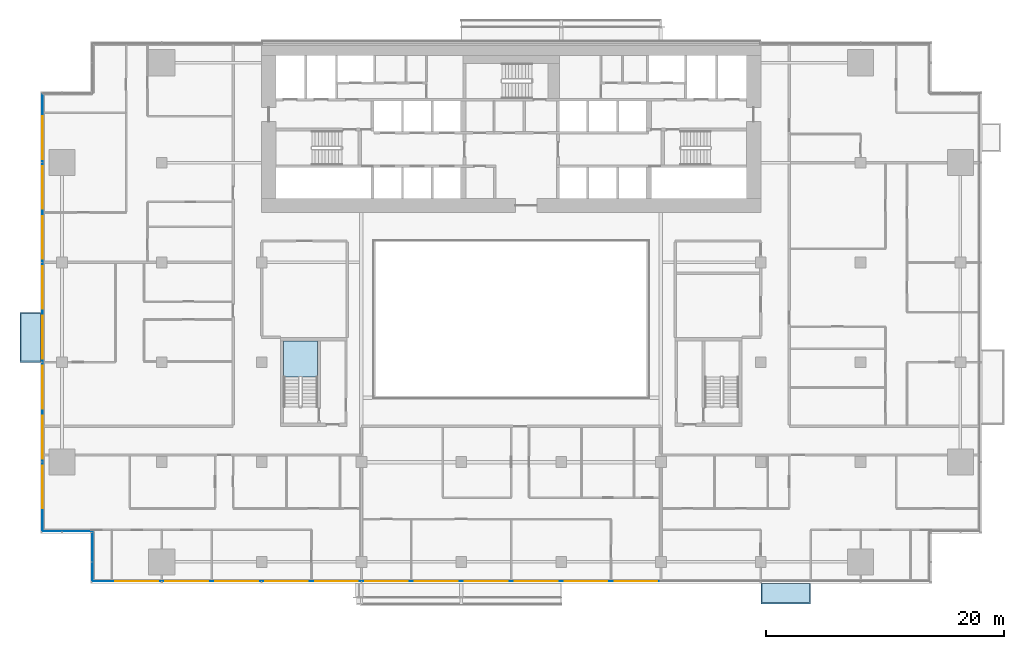
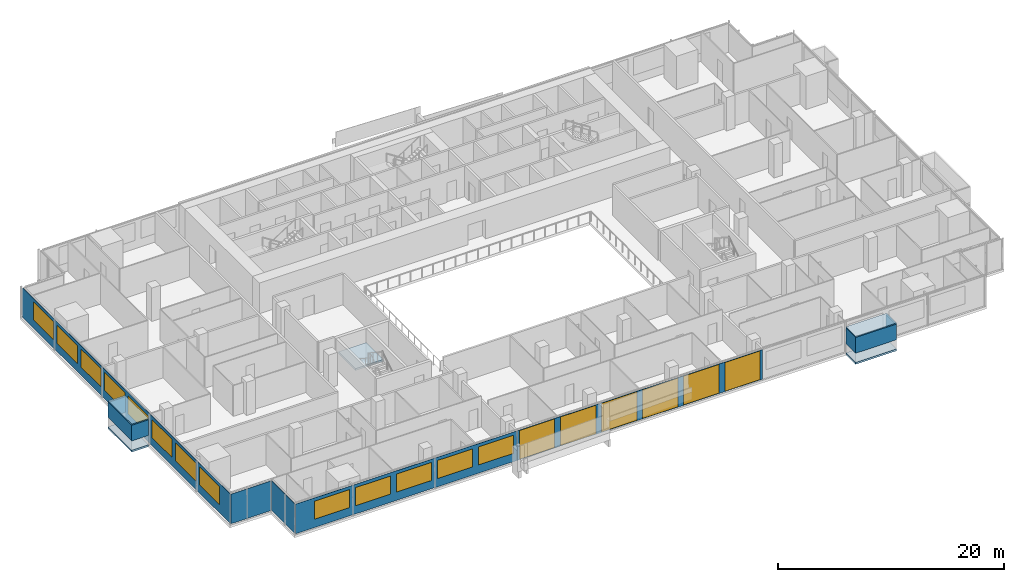
# One storey, part 14 of 26: 19 windows, 9 plates, 3 slabs, 19 openings, 5 elements without a shape of their own.
"""IFC4 building model written with IfcOpenShell, lengths in metres."""

from ifc_helpers import new_model, si_unit, direction, frame, frame_2d, origin, place, context, subcontext, project, spatial, polyline, rectangle, outline, extrude, material, layer, layer_set, type_object, element, fill, aggregate, save


model = new_model("IFC4")

# Units and contexts
model_context = context("Model", 3, precision=1e-05, world=origin(), true_north=direction((0.0, 1.0)))
body_context = subcontext(model_context, "Body", "Model", "MODEL_VIEW")
ifc_project = project(units=[si_unit("LENGTHUNIT", "METRE"), si_unit("AREAUNIT", "SQUARE_METRE"), si_unit("VOLUMEUNIT", "CUBIC_METRE"), si_unit("PLANEANGLEUNIT", "RADIAN"), si_unit("MASSUNIT", "GRAM", prefix="KILO")], contexts=[model_context])

# Site, building, storey
site_placement = place(None, origin())
site = spatial("IfcSite", under=ifc_project, at=site_placement, CompositionType="ELEMENT")
building_placement = place(site_placement, origin())
building = spatial("IfcBuilding", under=site, at=building_placement, Name="Saffron Gate Tower", CompositionType="ELEMENT")
storey_placement = place(building_placement, frame((0.0, 0.0, 62.39990234375)))
storey = spatial("IfcBuildingStorey", under=building, at=storey_placement, Name="L14", CompositionType="ELEMENT", Elevation=62.39990234375)

# Curtain wall, plates, openings, windows
ifc_material_1 = material(Name="Aluminium, bronze anodised", Category="aluminium")
curtain_wall_type_1 = type_object("IfcCurtainWallType", Name="CWS1 curtain wall front facade", PredefinedType="NOTDEFINED", material=ifc_material_1)
curtain_wall_1_placement = place(storey_placement, origin())
curtain_wall_1 = element("IfcCurtainWall", 1, at=curtain_wall_1_placement, inside=storey, type_object=curtain_wall_type_1, Name="CWS1 run 1", PredefinedType="NOTDEFINED")
ifc_material_2 = material(Name="Clear low-iron laminated glass", Category="glass")
ifc_layer_1 = layer(ifc_material_2, 0.028076171875)
ifc_layer_set_1 = layer_set([ifc_layer_1], Name="CWS1 clear glass")
plate_type_1 = type_object("IfcPlateType", Name="CWS1 clear glass", PredefinedType="CURTAIN_PANEL", material=ifc_layer_set_1)
plate_1_placement = place(storey_placement, frame((75.030029296875, 30.174072265625, 0.0), z_axis=(0.0, 0.0, 1.0), x_axis=(1.0, 0.0, 0.0)))
plate_1 = element("IfcPlate", 2, at=plate_1_placement, type_object=plate_type_1, Name="CWS1 clear glass panel", PredefinedType="CURTAIN_PANEL", context=body_context, shape_type="SweptSolid", body=[
    extrude(rectangle(XDim=25.139892578125, YDim=0.028076171875, at=frame_2d((12.56982421875, 0.0))), origin(), (0.0, 0.0, 1.0), 3.2001953125),
])
opening_1_placement = place(plate_1_placement, frame((0.27001953125, 0.0, 0.050048828125)))
opening_1 = element("IfcOpeningElement", 3, at=opening_1_placement, cuts=plate_1, Name="Opening WA", PredefinedType="OPENING", context=body_context, shape_type="SweptSolid", body=[
    extrude(rectangle(XDim=3.60009765625, YDim=3.10009765625, at=frame_2d((1.800048828125, 1.550048828125))), frame((0.0, 0.02392578125, 0.0), z_axis=(0.0, -1.0, 0.0), x_axis=(1.0, 0.0, 0.0)), (0.0, 0.0, 1.0), 0.048095703125),
])
opening_2_placement = place(plate_1_placement, frame((4.469970703125, 0.0, 0.050048828125)))
opening_2 = element("IfcOpeningElement", 4, at=opening_2_placement, cuts=plate_1, Name="Opening WA", PredefinedType="OPENING", context=body_context, shape_type="SweptSolid", body=[
    extrude(rectangle(XDim=3.60009765625, YDim=3.10009765625, at=frame_2d((1.800048828125, 1.550048828125))), frame((0.0, 0.02392578125, 0.0), z_axis=(0.0, -1.0, 0.0), x_axis=(1.0, 0.0, 0.0)), (0.0, 0.0, 1.0), 0.048095703125),
])
opening_3_placement = place(plate_1_placement, frame((8.669921875, 0.0, 0.050048828125)))
opening_3 = element("IfcOpeningElement", 5, at=opening_3_placement, cuts=plate_1, Name="Opening WA", PredefinedType="OPENING", context=body_context, shape_type="SweptSolid", body=[
    extrude(rectangle(XDim=3.60009765625, YDim=3.10009765625, at=frame_2d((1.800048828125, 1.550048828125))), frame((0.0, 0.02392578125, 0.0), z_axis=(0.0, -1.0, 0.0), x_axis=(1.0, 0.0, 0.0)), (0.0, 0.0, 1.0), 0.048095703125),
])
opening_4_placement = place(plate_1_placement, frame((12.8701171875, 0.0, 0.050048828125)))
opening_4 = element("IfcOpeningElement", 6, at=opening_4_placement, cuts=plate_1, Name="Opening WA", PredefinedType="OPENING", context=body_context, shape_type="SweptSolid", body=[
    extrude(rectangle(XDim=3.60009765625, YDim=3.10009765625, at=frame_2d((1.800048828125, 1.550048828125))), frame((0.0, 0.02392578125, 0.0), z_axis=(0.0, -1.0, 0.0), x_axis=(1.0, 0.0, 0.0)), (0.0, 0.0, 1.0), 0.048095703125),
])
opening_5_placement = place(plate_1_placement, frame((17.070068359375, 0.0, 0.050048828125)))
opening_5 = element("IfcOpeningElement", 7, at=opening_5_placement, cuts=plate_1, Name="Opening WA", PredefinedType="OPENING", context=body_context, shape_type="SweptSolid", body=[
    extrude(rectangle(XDim=3.60009765625, YDim=3.10009765625, at=frame_2d((1.800048828125, 1.550048828125))), frame((0.0, 0.02392578125, 0.0), z_axis=(0.0, -1.0, 0.0), x_axis=(1.0, 0.0, 0.0)), (0.0, 0.0, 1.0), 0.048095703125),
])
opening_6_placement = place(plate_1_placement, frame((21.27001953125, 0.0, 0.050048828125)))
opening_6 = element("IfcOpeningElement", 8, at=opening_6_placement, cuts=plate_1, Name="Opening WA", PredefinedType="OPENING", context=body_context, shape_type="SweptSolid", body=[
    extrude(rectangle(XDim=3.60009765625, YDim=3.10009765625, at=frame_2d((1.800048828125, 1.550048828125))), frame((0.0, 0.02392578125, 0.0), z_axis=(0.0, -1.0, 0.0), x_axis=(1.0, 0.0, 0.0)), (0.0, 0.0, 1.0), 0.048095703125),
])
ifc_material_3 = material(Name="Clear low-iron laminated glass in bronze frame", Category="glass")
ifc_layer_2 = layer(ifc_material_3, 0.06005859375)
ifc_layer_set_2 = layer_set([ifc_layer_2], Name="WA operable atrium unit 3600x3100")
window_type_1 = type_object("IfcWindowType", Name="WA operable atrium unit 3600x3100", PartitioningType="DOUBLE_PANEL_HORIZONTAL", PredefinedType="WINDOW", material=ifc_layer_set_2)
window_1_placement = place(opening_1_placement, origin())
window_1 = element("IfcWindow", 9, at=window_1_placement, type_object=window_type_1, Name="WA operable atrium unit", OverallHeight=3.10009765625, OverallWidth=3.60009765625, PartitioningType="SINGLE_PANEL", PredefinedType="WINDOW", context=body_context, shape_type="SweptSolid", body=[
    extrude(rectangle(XDim=3.60009765625, YDim=3.10009765625, at=frame_2d((1.800048828125, 1.550048828125))), frame((0.0, 0.013671875, 0.0), z_axis=(0.0, -1.0, 0.0), x_axis=(1.0, 0.0, 0.0)), (0.0, 0.0, 1.0), 0.027587890625),
])
fill(opening_1, window_1)
window_2_placement = place(opening_2_placement, origin())
window_2 = element("IfcWindow", 10, at=window_2_placement, type_object=window_type_1, Name="WA operable atrium unit", OverallHeight=3.10009765625, OverallWidth=3.60009765625, PartitioningType="SINGLE_PANEL", PredefinedType="WINDOW", context=body_context, shape_type="SweptSolid", body=[
    extrude(rectangle(XDim=3.60009765625, YDim=3.10009765625, at=frame_2d((1.800048828125, 1.550048828125))), frame((0.0, 0.013671875, 0.0), z_axis=(0.0, -1.0, 0.0), x_axis=(1.0, 0.0, 0.0)), (0.0, 0.0, 1.0), 0.027587890625),
])
fill(opening_2, window_2)
window_3_placement = place(opening_3_placement, origin())
window_3 = element("IfcWindow", 11, at=window_3_placement, type_object=window_type_1, Name="WA operable atrium unit", OverallHeight=3.10009765625, OverallWidth=3.60009765625, PartitioningType="SINGLE_PANEL", PredefinedType="WINDOW", context=body_context, shape_type="SweptSolid", body=[
    extrude(rectangle(XDim=3.60009765625, YDim=3.10009765625, at=frame_2d((1.800048828125, 1.550048828125))), frame((0.0, 0.013671875, 0.0), z_axis=(0.0, -1.0, 0.0), x_axis=(1.0, 0.0, 0.0)), (0.0, 0.0, 1.0), 0.027587890625),
])
fill(opening_3, window_3)
window_4_placement = place(opening_4_placement, origin())
window_4 = element("IfcWindow", 12, at=window_4_placement, type_object=window_type_1, Name="WA operable atrium unit", OverallHeight=3.10009765625, OverallWidth=3.60009765625, PartitioningType="SINGLE_PANEL", PredefinedType="WINDOW", context=body_context, shape_type="SweptSolid", body=[
    extrude(rectangle(XDim=3.60009765625, YDim=3.10009765625, at=frame_2d((1.800048828125, 1.550048828125))), frame((0.0, 0.013671875, 0.0), z_axis=(0.0, -1.0, 0.0), x_axis=(1.0, 0.0, 0.0)), (0.0, 0.0, 1.0), 0.027587890625),
])
fill(opening_4, window_4)
window_5_placement = place(opening_5_placement, origin())
window_5 = element("IfcWindow", 13, at=window_5_placement, type_object=window_type_1, Name="WA operable atrium unit", OverallHeight=3.10009765625, OverallWidth=3.60009765625, PartitioningType="SINGLE_PANEL", PredefinedType="WINDOW", context=body_context, shape_type="SweptSolid", body=[
    extrude(rectangle(XDim=3.60009765625, YDim=3.10009765625, at=frame_2d((1.800048828125, 1.550048828125))), frame((0.0, 0.013671875, 0.0), z_axis=(0.0, -1.0, 0.0), x_axis=(1.0, 0.0, 0.0)), (0.0, 0.0, 1.0), 0.027587890625),
])
fill(opening_5, window_5)
window_6_placement = place(opening_6_placement, origin())
window_6 = element("IfcWindow", 14, at=window_6_placement, type_object=window_type_1, Name="WA operable atrium unit", OverallHeight=3.10009765625, OverallWidth=3.60009765625, PartitioningType="SINGLE_PANEL", PredefinedType="WINDOW", context=body_context, shape_type="SweptSolid", body=[
    extrude(rectangle(XDim=3.60009765625, YDim=3.10009765625, at=frame_2d((1.800048828125, 1.550048828125))), frame((0.0, 0.013671875, 0.0), z_axis=(0.0, -1.0, 0.0), x_axis=(1.0, 0.0, 0.0)), (0.0, 0.0, 1.0), 0.027587890625),
])
fill(opening_6, window_6)
ifc_material_4 = material(Name="Fritted bronze-tinted laminated glass", Category="glass")
ifc_layer_3 = layer(ifc_material_4, 0.028076171875)
ifc_layer_set_3 = layer_set([ifc_layer_3], Name="CWS1 fixed glass")
plate_type_2 = type_object("IfcPlateType", Name="CWS1 fixed glass", PredefinedType="CURTAIN_PANEL", material=ifc_layer_set_3)
plate_2_placement = place(storey_placement, frame((52.387939453125, 30.174072265625, 0.0), z_axis=(0.0, 0.0, 1.0), x_axis=(1.0, 0.0, 0.0)))
plate_2 = element("IfcPlate", 15, at=plate_2_placement, type_object=plate_type_2, Name="CWS1 glass panel", PredefinedType="CURTAIN_PANEL", context=body_context, shape_type="SweptSolid", body=[
    extrude(rectangle(XDim=22.64208984375, YDim=0.028076171875, at=frame_2d((11.321044921875, 0.0))), origin(), (0.0, 0.0, 1.0), 3.2001953125),
])
opening_7_placement = place(plate_2_placement, frame((1.912109375, 0.0, 0.89990234375)))
opening_7 = element("IfcOpeningElement", 16, at=opening_7_placement, cuts=plate_2, Name="Opening W1", PredefinedType="OPENING", context=body_context, shape_type="SweptSolid", body=[
    extrude(rectangle(XDim=3.60009765625, YDim=1.949951171875, at=frame_2d((1.800048828125, 0.97509765625))), frame((0.0, 0.02392578125, 0.0), z_axis=(0.0, -1.0, 0.0), x_axis=(1.0, 0.0, 0.0)), (0.0, 0.0, 1.0), 0.048095703125),
])
opening_8_placement = place(plate_2_placement, frame((6.112060546875, 0.0, 0.89990234375)))
opening_8 = element("IfcOpeningElement", 17, at=opening_8_placement, cuts=plate_2, Name="Opening W1", PredefinedType="OPENING", context=body_context, shape_type="SweptSolid", body=[
    extrude(rectangle(XDim=3.60009765625, YDim=1.949951171875, at=frame_2d((1.800048828125, 0.97509765625))), frame((0.0, 0.02392578125, 0.0), z_axis=(0.0, -1.0, 0.0), x_axis=(1.0, 0.0, 0.0)), (0.0, 0.0, 1.0), 0.048095703125),
])
opening_9_placement = place(plate_2_placement, frame((10.31201171875, 0.0, 0.89990234375)))
opening_9 = element("IfcOpeningElement", 18, at=opening_9_placement, cuts=plate_2, Name="Opening W1", PredefinedType="OPENING", context=body_context, shape_type="SweptSolid", body=[
    extrude(rectangle(XDim=3.60009765625, YDim=1.949951171875, at=frame_2d((1.800048828125, 0.97509765625))), frame((0.0, 0.02392578125, 0.0), z_axis=(0.0, -1.0, 0.0), x_axis=(1.0, 0.0, 0.0)), (0.0, 0.0, 1.0), 0.048095703125),
])
opening_10_placement = place(plate_2_placement, frame((14.511962890625, 0.0, 0.89990234375)))
opening_10 = element("IfcOpeningElement", 19, at=opening_10_placement, cuts=plate_2, Name="Opening W1", PredefinedType="OPENING", context=body_context, shape_type="SweptSolid", body=[
    extrude(rectangle(XDim=3.60009765625, YDim=1.949951171875, at=frame_2d((1.800048828125, 0.97509765625))), frame((0.0, 0.02392578125, 0.0), z_axis=(0.0, -1.0, 0.0), x_axis=(1.0, 0.0, 0.0)), (0.0, 0.0, 1.0), 0.048095703125),
])
opening_11_placement = place(plate_2_placement, frame((18.7119140625, 0.0, 0.89990234375)))
opening_11 = element("IfcOpeningElement", 20, at=opening_11_placement, cuts=plate_2, Name="Opening W1", PredefinedType="OPENING", context=body_context, shape_type="SweptSolid", body=[
    extrude(rectangle(XDim=3.60009765625, YDim=1.949951171875, at=frame_2d((1.800048828125, 0.97509765625))), frame((0.0, 0.02392578125, 0.0), z_axis=(0.0, -1.0, 0.0), x_axis=(1.0, 0.0, 0.0)), (0.0, 0.0, 1.0), 0.048095703125),
])
ifc_material_5 = material(Name="Fritted bronze-tinted laminated glass in bronze frame", Category="glass")
ifc_layer_4 = layer(ifc_material_5, 0.06005859375)
ifc_layer_set_4 = layer_set([ifc_layer_4], Name="W1 operable panel 3600x1950")
window_type_2 = type_object("IfcWindowType", Name="W1 operable panel 3600x1950", PartitioningType="DOUBLE_PANEL_HORIZONTAL", PredefinedType="WINDOW", material=ifc_layer_set_4)
window_7_placement = place(opening_7_placement, origin())
window_7 = element("IfcWindow", 21, at=window_7_placement, type_object=window_type_2, Name="W1 operable panel", OverallHeight=1.949951171875, OverallWidth=3.60009765625, PartitioningType="SINGLE_PANEL", PredefinedType="WINDOW", context=body_context, shape_type="SweptSolid", body=[
    extrude(rectangle(XDim=3.60009765625, YDim=1.949951171875, at=frame_2d((1.800048828125, 0.97509765625))), frame((0.0, 0.013671875, 0.0), z_axis=(0.0, -1.0, 0.0), x_axis=(1.0, 0.0, 0.0)), (0.0, 0.0, 1.0), 0.027587890625),
])
fill(opening_7, window_7)
window_8_placement = place(opening_8_placement, origin())
window_8 = element("IfcWindow", 22, at=window_8_placement, type_object=window_type_2, Name="W1 operable panel", OverallHeight=1.949951171875, OverallWidth=3.60009765625, PartitioningType="SINGLE_PANEL", PredefinedType="WINDOW", context=body_context, shape_type="SweptSolid", body=[
    extrude(rectangle(XDim=3.60009765625, YDim=1.949951171875, at=frame_2d((1.800048828125, 0.97509765625))), frame((0.0, 0.013671875, 0.0), z_axis=(0.0, -1.0, 0.0), x_axis=(1.0, 0.0, 0.0)), (0.0, 0.0, 1.0), 0.027587890625),
])
fill(opening_8, window_8)
window_9_placement = place(opening_9_placement, origin())
window_9 = element("IfcWindow", 23, at=window_9_placement, type_object=window_type_2, Name="W1 operable panel", OverallHeight=1.949951171875, OverallWidth=3.60009765625, PartitioningType="SINGLE_PANEL", PredefinedType="WINDOW", context=body_context, shape_type="SweptSolid", body=[
    extrude(rectangle(XDim=3.60009765625, YDim=1.949951171875, at=frame_2d((1.800048828125, 0.97509765625))), frame((0.0, 0.013671875, 0.0), z_axis=(0.0, -1.0, 0.0), x_axis=(1.0, 0.0, 0.0)), (0.0, 0.0, 1.0), 0.027587890625),
])
fill(opening_9, window_9)
window_10_placement = place(opening_10_placement, origin())
window_10 = element("IfcWindow", 24, at=window_10_placement, type_object=window_type_2, Name="W1 operable panel", OverallHeight=1.949951171875, OverallWidth=3.60009765625, PartitioningType="SINGLE_PANEL", PredefinedType="WINDOW", context=body_context, shape_type="SweptSolid", body=[
    extrude(rectangle(XDim=3.60009765625, YDim=1.949951171875, at=frame_2d((1.800048828125, 0.97509765625))), frame((0.0, 0.013671875, 0.0), z_axis=(0.0, -1.0, 0.0), x_axis=(1.0, 0.0, 0.0)), (0.0, 0.0, 1.0), 0.027587890625),
])
fill(opening_10, window_10)
window_11_placement = place(opening_11_placement, origin())
window_11 = element("IfcWindow", 25, at=window_11_placement, type_object=window_type_2, Name="W1 operable panel", OverallHeight=1.949951171875, OverallWidth=3.60009765625, PartitioningType="SINGLE_PANEL", PredefinedType="WINDOW", context=body_context, shape_type="SweptSolid", body=[
    extrude(rectangle(XDim=3.60009765625, YDim=1.949951171875, at=frame_2d((1.800048828125, 0.97509765625))), frame((0.0, 0.013671875, 0.0), z_axis=(0.0, -1.0, 0.0), x_axis=(1.0, 0.0, 0.0)), (0.0, 0.0, 1.0), 0.027587890625),
])
fill(opening_11, window_11)
aggregate(curtain_wall_1, [plate_2, plate_1, window_7, window_8, window_9, window_10, window_11, window_1, window_2, window_3, window_4, window_5, window_6])

# Curtain wall, plate, openings, windows
curtain_wall_type_2 = type_object("IfcCurtainWallType", Name="CWS2 curtain wall side facades", PredefinedType="NOTDEFINED", material=ifc_material_1)
curtain_wall_2_placement = place(storey_placement, origin())
curtain_wall_2 = element("IfcCurtainWall", 26, at=curtain_wall_2_placement, inside=storey, type_object=curtain_wall_type_2, Name="CWS2 run 10", PredefinedType="NOTDEFINED")
ifc_layer_5 = layer(ifc_material_4, 0.028076171875)
ifc_layer_set_5 = layer_set([ifc_layer_5], Name="CWS2 fixed glass")
plate_type_3 = type_object("IfcPlateType", Name="CWS2 fixed glass", PredefinedType="CURTAIN_PANEL", material=ifc_layer_set_5)
plate_3_placement = place(storey_placement, frame((48.174072265625, 71.2119140625, 0.0), z_axis=(0.0, 0.0, 1.0), x_axis=(0.0, -1.0, 0.0)))
plate_3 = element("IfcPlate", 27, at=plate_3_placement, type_object=plate_type_3, Name="CWS2 glass panel", PredefinedType="CURTAIN_PANEL", context=body_context, shape_type="SweptSolid", body=[
    extrude(rectangle(XDim=36.823974609375, YDim=0.028076171875, at=frame_2d((18.412109375, 0.0))), origin(), (0.0, 0.0, 1.0), 3.2001953125),
])
opening_12_placement = place(plate_3_placement, frame((1.912109375, 0.0, 0.89990234375)))
opening_12 = element("IfcOpeningElement", 28, at=opening_12_placement, cuts=plate_3, Name="Opening W1", PredefinedType="OPENING", context=body_context, shape_type="SweptSolid", body=[
    extrude(rectangle(XDim=3.60009765625, YDim=1.949951171875, at=frame_2d((1.800048828125, 0.97509765625))), frame((0.0, 0.02392578125, 0.0), z_axis=(0.0, -1.0, 0.0), x_axis=(1.0, 0.0, 0.0)), (0.0, 0.0, 1.0), 0.048095703125),
])
opening_13_placement = place(plate_3_placement, frame((6.112060546875, 0.0, 0.89990234375)))
opening_13 = element("IfcOpeningElement", 29, at=opening_13_placement, cuts=plate_3, Name="Opening W1", PredefinedType="OPENING", context=body_context, shape_type="SweptSolid", body=[
    extrude(rectangle(XDim=3.60009765625, YDim=1.949951171875, at=frame_2d((1.800048828125, 0.97509765625))), frame((0.0, 0.02392578125, 0.0), z_axis=(0.0, -1.0, 0.0), x_axis=(1.0, 0.0, 0.0)), (0.0, 0.0, 1.0), 0.048095703125),
])
opening_14_placement = place(plate_3_placement, frame((10.31201171875, 0.0, 0.89990234375)))
opening_14 = element("IfcOpeningElement", 30, at=opening_14_placement, cuts=plate_3, Name="Opening W1", PredefinedType="OPENING", context=body_context, shape_type="SweptSolid", body=[
    extrude(rectangle(XDim=3.60009765625, YDim=1.949951171875, at=frame_2d((1.800048828125, 0.97509765625))), frame((0.0, 0.02392578125, 0.0), z_axis=(0.0, -1.0, 0.0), x_axis=(1.0, 0.0, 0.0)), (0.0, 0.0, 1.0), 0.048095703125),
])
opening_15_placement = place(plate_3_placement, frame((14.511962890625, 0.0, 0.89990234375)))
opening_15 = element("IfcOpeningElement", 31, at=opening_15_placement, cuts=plate_3, Name="Opening W1", PredefinedType="OPENING", context=body_context, shape_type="SweptSolid", body=[
    extrude(rectangle(XDim=3.60009765625, YDim=1.949951171875, at=frame_2d((1.800048828125, 0.97509765625))), frame((0.0, 0.02392578125, 0.0), z_axis=(0.0, -1.0, 0.0), x_axis=(1.0, 0.0, 0.0)), (0.0, 0.0, 1.0), 0.048095703125),
])
opening_16_placement = place(plate_3_placement, frame((18.7119140625, 0.0, 0.89990234375)))
opening_16 = element("IfcOpeningElement", 32, at=opening_16_placement, cuts=plate_3, Name="Opening W1", PredefinedType="OPENING", context=body_context, shape_type="SweptSolid", body=[
    extrude(rectangle(XDim=3.60009765625, YDim=1.949951171875, at=frame_2d((1.800048828125, 0.97509765625))), frame((0.0, 0.02392578125, 0.0), z_axis=(0.0, -1.0, 0.0), x_axis=(1.0, 0.0, 0.0)), (0.0, 0.0, 1.0), 0.048095703125),
])
opening_17_placement = place(plate_3_placement, frame((22.912109375, 0.0, 0.89990234375)))
opening_17 = element("IfcOpeningElement", 33, at=opening_17_placement, cuts=plate_3, Name="Opening W1", PredefinedType="OPENING", context=body_context, shape_type="SweptSolid", body=[
    extrude(rectangle(XDim=3.60009765625, YDim=1.949951171875, at=frame_2d((1.800048828125, 0.97509765625))), frame((0.0, 0.02392578125, 0.0), z_axis=(0.0, -1.0, 0.0), x_axis=(1.0, 0.0, 0.0)), (0.0, 0.0, 1.0), 0.048095703125),
])
opening_18_placement = place(plate_3_placement, frame((27.112060546875, 0.0, 0.89990234375)))
opening_18 = element("IfcOpeningElement", 34, at=opening_18_placement, cuts=plate_3, Name="Opening W1", PredefinedType="OPENING", context=body_context, shape_type="SweptSolid", body=[
    extrude(rectangle(XDim=3.60009765625, YDim=1.949951171875, at=frame_2d((1.800048828125, 0.97509765625))), frame((0.0, 0.02392578125, 0.0), z_axis=(0.0, -1.0, 0.0), x_axis=(1.0, 0.0, 0.0)), (0.0, 0.0, 1.0), 0.048095703125),
])
opening_19_placement = place(plate_3_placement, frame((31.31201171875, 0.0, 0.89990234375)))
opening_19 = element("IfcOpeningElement", 35, at=opening_19_placement, cuts=plate_3, Name="Opening W1", PredefinedType="OPENING", context=body_context, shape_type="SweptSolid", body=[
    extrude(rectangle(XDim=3.60009765625, YDim=1.949951171875, at=frame_2d((1.800048828125, 0.97509765625))), frame((0.0, 0.02392578125, 0.0), z_axis=(0.0, -1.0, 0.0), x_axis=(1.0, 0.0, 0.0)), (0.0, 0.0, 1.0), 0.048095703125),
])
window_12_placement = place(opening_12_placement, origin())
window_12 = element("IfcWindow", 36, at=window_12_placement, type_object=window_type_2, Name="W1 operable panel", OverallHeight=1.949951171875, OverallWidth=3.60009765625, PartitioningType="SINGLE_PANEL", PredefinedType="WINDOW", context=body_context, shape_type="SweptSolid", body=[
    extrude(rectangle(XDim=3.60009765625, YDim=1.949951171875, at=frame_2d((1.800048828125, 0.97509765625))), frame((0.0, 0.013671875, 0.0), z_axis=(0.0, -1.0, 0.0), x_axis=(1.0, 0.0, 0.0)), (0.0, 0.0, 1.0), 0.027587890625),
])
fill(opening_12, window_12)
window_13_placement = place(opening_13_placement, origin())
window_13 = element("IfcWindow", 37, at=window_13_placement, type_object=window_type_2, Name="W1 operable panel", OverallHeight=1.949951171875, OverallWidth=3.60009765625, PartitioningType="SINGLE_PANEL", PredefinedType="WINDOW", context=body_context, shape_type="SweptSolid", body=[
    extrude(rectangle(XDim=3.60009765625, YDim=1.949951171875, at=frame_2d((1.800048828125, 0.97509765625))), frame((0.0, 0.013671875, 0.0), z_axis=(0.0, -1.0, 0.0), x_axis=(1.0, 0.0, 0.0)), (0.0, 0.0, 1.0), 0.027587890625),
])
fill(opening_13, window_13)
window_14_placement = place(opening_14_placement, origin())
window_14 = element("IfcWindow", 38, at=window_14_placement, type_object=window_type_2, Name="W1 operable panel", OverallHeight=1.949951171875, OverallWidth=3.60009765625, PartitioningType="SINGLE_PANEL", PredefinedType="WINDOW", context=body_context, shape_type="SweptSolid", body=[
    extrude(rectangle(XDim=3.60009765625, YDim=1.949951171875, at=frame_2d((1.800048828125, 0.97509765625))), frame((0.0, 0.013671875, 0.0), z_axis=(0.0, -1.0, 0.0), x_axis=(1.0, 0.0, 0.0)), (0.0, 0.0, 1.0), 0.027587890625),
])
fill(opening_14, window_14)
window_15_placement = place(opening_15_placement, origin())
window_15 = element("IfcWindow", 39, at=window_15_placement, type_object=window_type_2, Name="W1 operable panel", OverallHeight=1.949951171875, OverallWidth=3.60009765625, PartitioningType="SINGLE_PANEL", PredefinedType="WINDOW", context=body_context, shape_type="SweptSolid", body=[
    extrude(rectangle(XDim=3.60009765625, YDim=1.949951171875, at=frame_2d((1.800048828125, 0.97509765625))), frame((0.0, 0.013671875, 0.0), z_axis=(0.0, -1.0, 0.0), x_axis=(1.0, 0.0, 0.0)), (0.0, 0.0, 1.0), 0.027587890625),
])
fill(opening_15, window_15)
window_16_placement = place(opening_16_placement, origin())
window_16 = element("IfcWindow", 40, at=window_16_placement, type_object=window_type_2, Name="W1 operable panel", OverallHeight=1.949951171875, OverallWidth=3.60009765625, PartitioningType="SINGLE_PANEL", PredefinedType="WINDOW", context=body_context, shape_type="SweptSolid", body=[
    extrude(rectangle(XDim=3.60009765625, YDim=1.949951171875, at=frame_2d((1.800048828125, 0.97509765625))), frame((0.0, 0.013671875, 0.0), z_axis=(0.0, -1.0, 0.0), x_axis=(1.0, 0.0, 0.0)), (0.0, 0.0, 1.0), 0.027587890625),
])
fill(opening_16, window_16)
window_17_placement = place(opening_17_placement, origin())
window_17 = element("IfcWindow", 41, at=window_17_placement, type_object=window_type_2, Name="W1 operable panel", OverallHeight=1.949951171875, OverallWidth=3.60009765625, PartitioningType="SINGLE_PANEL", PredefinedType="WINDOW", context=body_context, shape_type="SweptSolid", body=[
    extrude(rectangle(XDim=3.60009765625, YDim=1.949951171875, at=frame_2d((1.800048828125, 0.97509765625))), frame((0.0, 0.013671875, 0.0), z_axis=(0.0, -1.0, 0.0), x_axis=(1.0, 0.0, 0.0)), (0.0, 0.0, 1.0), 0.027587890625),
])
fill(opening_17, window_17)
window_18_placement = place(opening_18_placement, origin())
window_18 = element("IfcWindow", 42, at=window_18_placement, type_object=window_type_2, Name="W1 operable panel", OverallHeight=1.949951171875, OverallWidth=3.60009765625, PartitioningType="SINGLE_PANEL", PredefinedType="WINDOW", context=body_context, shape_type="SweptSolid", body=[
    extrude(rectangle(XDim=3.60009765625, YDim=1.949951171875, at=frame_2d((1.800048828125, 0.97509765625))), frame((0.0, 0.013671875, 0.0), z_axis=(0.0, -1.0, 0.0), x_axis=(1.0, 0.0, 0.0)), (0.0, 0.0, 1.0), 0.027587890625),
])
fill(opening_18, window_18)
window_19_placement = place(opening_19_placement, origin())
window_19 = element("IfcWindow", 43, at=window_19_placement, type_object=window_type_2, Name="W1 operable panel", OverallHeight=1.949951171875, OverallWidth=3.60009765625, PartitioningType="SINGLE_PANEL", PredefinedType="WINDOW", context=body_context, shape_type="SweptSolid", body=[
    extrude(rectangle(XDim=3.60009765625, YDim=1.949951171875, at=frame_2d((1.800048828125, 0.97509765625))), frame((0.0, 0.013671875, 0.0), z_axis=(0.0, -1.0, 0.0), x_axis=(1.0, 0.0, 0.0)), (0.0, 0.0, 1.0), 0.027587890625),
])
fill(opening_19, window_19)
aggregate(curtain_wall_2, [plate_3, window_12, window_13, window_14, window_15, window_16, window_17, window_18, window_19])

# Curtain wall, plate
curtain_wall_type_3 = type_object("IfcCurtainWallType", Name="CWS4 curtain wall corner returns", PredefinedType="NOTDEFINED", material=ifc_material_1)
curtain_wall_3_placement = place(storey_placement, origin())
curtain_wall_3 = element("IfcCurtainWall", 44, at=curtain_wall_3_placement, inside=storey, type_object=curtain_wall_type_3, Name="CWS4 run 11", PredefinedType="NOTDEFINED")
ifc_layer_6 = layer(ifc_material_4, 0.028076171875)
ifc_layer_set_6 = layer_set([ifc_layer_6], Name="CWS4 fixed glass")
plate_type_4 = type_object("IfcPlateType", Name="CWS4 fixed glass", PredefinedType="CURTAIN_PANEL", material=ifc_layer_set_6)
plate_4_placement = place(storey_placement, frame((48.18798828125, 34.3740234375, 0.0), z_axis=(0.0, 0.0, 1.0), x_axis=(1.0, 0.0, 0.0)))
plate_4 = element("IfcPlate", 45, at=plate_4_placement, type_object=plate_type_4, Name="CWS4 glass panel", PredefinedType="CURTAIN_PANEL", context=body_context, shape_type="SweptSolid", body=[
    extrude(rectangle(XDim=4.172119140625, YDim=0.028076171875, at=frame_2d((2.0859375, 0.0))), origin(), (0.0, 0.0, 1.0), 3.2001953125),
])
aggregate(curtain_wall_3, [plate_4])

curtain_wall_4_placement = place(storey_placement, origin())
curtain_wall_4 = element("IfcCurtainWall", 46, at=curtain_wall_4_placement, inside=storey, type_object=curtain_wall_type_3, Name="CWS4 run 12", PredefinedType="NOTDEFINED")
plate_5_placement = place(storey_placement, frame((52.3740234375, 34.360107421875, 0.0), z_axis=(0.0, 0.0, 1.0), x_axis=(0.0, -1.0, 0.0)))
plate_5 = element("IfcPlate", 47, at=plate_5_placement, type_object=plate_type_4, Name="CWS4 glass panel", PredefinedType="CURTAIN_PANEL", context=body_context, shape_type="SweptSolid", body=[
    extrude(rectangle(XDim=4.172119140625, YDim=0.028076171875, at=frame_2d((2.0859375, 0.0))), origin(), (0.0, 0.0, 1.0), 3.2001953125),
])
aggregate(curtain_wall_4, [plate_5])

# Stair, slab
ifc_material_6 = material(Name="Concrete C40", Category="concrete")
stair_type = type_object("IfcStairType", Name="ST7 Stair 1350 wide, 20 risers of 180", PredefinedType="HALF_TURN_STAIR", material=ifc_material_6)
stair_placement = place(storey_placement, origin())
stair = element("IfcStair", 48, at=stair_placement, inside=storey, type_object=stair_type, Name="L14 Exit stair D", PredefinedType="HALF_TURN_STAIR")
ifc_layer_7 = layer(ifc_material_6, 0.199951171875)
ifc_layer_set_7 = layer_set([ifc_layer_7], Name="SL1 Stair landing 200")
slab_type_1 = type_object("IfcSlabType", Name="SL1 Stair landing 200", PredefinedType="LANDING", material=ifc_layer_set_7)
slab_1_placement = place(storey_placement, frame((0.0, 0.0, 1.60009765625)))
slab_1 = element("IfcSlab", 49, at=slab_1_placement, type_object=slab_type_1, Name="ST-D landing 1", PredefinedType="LANDING", context=body_context, shape_type="SweptSolid", body=[
    extrude(outline(polyline([(71.300048828125, 47.3701171875), (71.300048828125, 50.39990234375), (68.449951171875, 50.39990234375), (68.449951171875, 47.3701171875), (71.300048828125, 47.3701171875)])), origin(), (0.0, 0.0, 1.0), 0.199951171875),
])
aggregate(stair, [slab_1])

# Slabs
ifc_material_7 = material(Name="Timber deck on bronze frame", Category="wood")
ifc_layer_8 = layer(ifc_material_7, 0.199951171875)
ifc_layer_set_8 = layer_set([ifc_layer_8], Name="WB1 box floor")
slab_type_2 = type_object("IfcSlabType", Name="WB1 box floor", PredefinedType="FLOOR", material=ifc_layer_set_8)
slab_2_placement = place(storey_placement, frame((0.0, 0.0, -0.199951171875)))
element("IfcSlab", 50, at=slab_2_placement, inside=storey, type_object=slab_type_2, Name="WINDOW BOX floor", PredefinedType="FLOOR", context=body_context, shape_type="SweptSolid", body=[
    extrude(outline(polyline([(108.60009765625, 30.0), (112.800048828125, 30.0), (112.800048828125, 28.26708984375), (108.60009765625, 28.26708984375), (108.60009765625, 30.0)])), origin(), (0.0, 0.0, 1.0), 0.199951171875),
])
slab_3_placement = place(storey_placement, frame((0.0, 0.0, -0.199951171875)))
element("IfcSlab", 51, at=slab_3_placement, inside=storey, type_object=slab_type_2, Name="WINDOW BOX floor", PredefinedType="FLOOR", context=body_context, shape_type="SweptSolid", body=[
    extrude(outline(polyline([(48.0, 52.800048828125), (48.0, 48.60009765625), (46.26708984375, 48.60009765625), (46.26708984375, 52.800048828125), (48.0, 52.800048828125)])), origin(), (0.0, 0.0, 1.0), 0.199951171875),
])

# Plates
ifc_layer_9 = layer(ifc_material_1, 0.1201171875)
ifc_layer_set_9 = layer_set([ifc_layer_9], Name="WB2 box roof")
plate_type_5 = type_object("IfcPlateType", Name="WB2 box roof", PredefinedType="SHEET", material=ifc_layer_set_9)
plate_6_placement = place(storey_placement, frame((0.0, 0.0, 2.7001953125)))
element("IfcPlate", 52, at=plate_6_placement, inside=storey, type_object=plate_type_5, Name="WINDOW BOX roof", PredefinedType="SHEET", context=body_context, shape_type="SweptSolid", body=[
    extrude(outline(polyline([(108.60009765625, 30.0), (112.800048828125, 30.0), (112.800048828125, 28.26708984375), (108.60009765625, 28.26708984375), (108.60009765625, 30.0)])), origin(), (0.0, 0.0, 1.0), 0.119873046875),
])
plate_7_placement = place(storey_placement, frame((0.0, 0.0, 2.7001953125)))
element("IfcPlate", 53, at=plate_7_placement, inside=storey, type_object=plate_type_5, Name="WINDOW BOX roof", PredefinedType="SHEET", context=body_context, shape_type="SweptSolid", body=[
    extrude(outline(polyline([(48.0, 52.800048828125), (48.0, 48.60009765625), (46.26708984375, 48.60009765625), (46.26708984375, 52.800048828125), (48.0, 52.800048828125)])), origin(), (0.0, 0.0, 1.0), 0.119873046875),
])
ifc_layer_10 = layer(ifc_material_2, 0.10009765625)
ifc_layer_set_10 = layer_set([ifc_layer_10], Name="WB6 box glazing")
plate_type_6 = type_object("IfcPlateType", Name="WB6 box glazing", PredefinedType="SHEET", material=ifc_layer_set_10)
plate_8_placement = place(storey_placement, frame((0.0, 0.0, 1.0)))
element("IfcPlate", 54, at=plate_8_placement, inside=storey, type_object=plate_type_6, Name="WINDOW BOX glazing", PredefinedType="SHEET", context=body_context, shape_type="SweptSolid", body=[
    extrude(outline(polyline([(108.60009765625, 30.0), (108.699951171875, 30.0), (108.699951171875, 28.366943359375), (112.699951171875, 28.366943359375), (112.699951171875, 30.0), (112.800048828125, 30.0), (112.800048828125, 28.26708984375), (108.60009765625, 28.26708984375), (108.60009765625, 30.0)])), origin(), (0.0, 0.0, 1.0), 1.7001953125),
])
plate_9_placement = place(storey_placement, frame((0.0, 0.0, 1.0)))
element("IfcPlate", 55, at=plate_9_placement, inside=storey, type_object=plate_type_6, Name="WINDOW BOX glazing", PredefinedType="SHEET", context=body_context, shape_type="SweptSolid", body=[
    extrude(outline(polyline([(48.0, 52.800048828125), (48.0, 52.699951171875), (46.366943359375, 52.699951171875), (46.366943359375, 48.699951171875), (48.0, 48.699951171875), (48.0, 48.60009765625), (46.26708984375, 48.60009765625), (46.26708984375, 52.800048828125), (48.0, 52.800048828125)])), origin(), (0.0, 0.0, 1.0), 1.7001953125),
])

save(model, "model.ifc")
